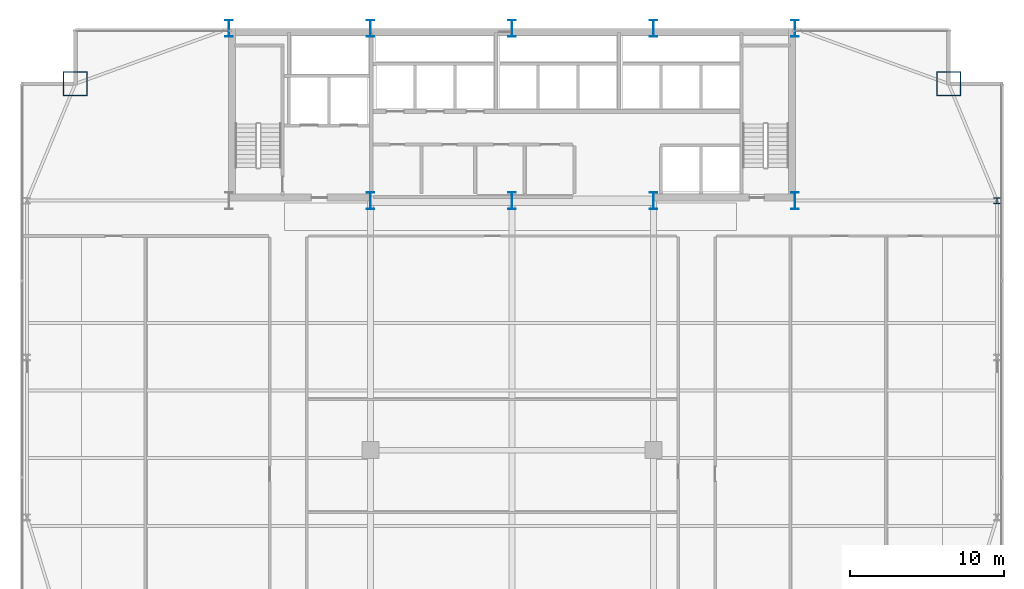
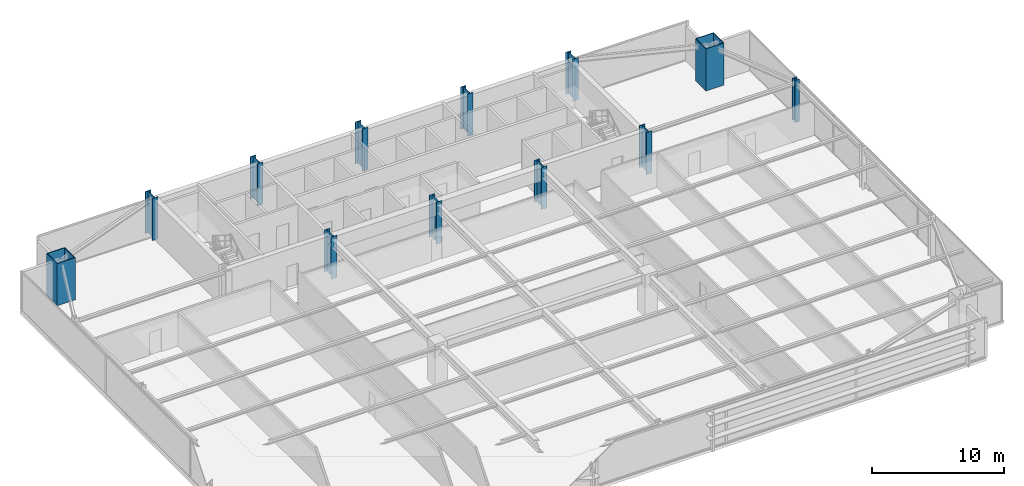
# One storey, part 2 of 32: 12 columns.
"""IFC4 building model written with IfcOpenShell, lengths in metres."""

from ifc_helpers import new_model, si_unit, direction, frame, origin, origin_2d, place, context, subcontext, project, spatial, hollow_rectangle, i_section, extrude, source, transform, mapped, material, material_profile, profile_set, type_object, type_shapes, element, save


model = new_model("IFC4")

# Units and contexts
model_context = context("Model", 3, precision=1e-05, world=origin(), true_north=direction((0.0, 1.0)))
body_context = subcontext(model_context, "Body", "Model", "MODEL_VIEW")
ifc_project = project(units=[si_unit("LENGTHUNIT", "METRE"), si_unit("AREAUNIT", "SQUARE_METRE"), si_unit("VOLUMEUNIT", "CUBIC_METRE"), si_unit("PLANEANGLEUNIT", "RADIAN"), si_unit("MASSUNIT", "GRAM", prefix="KILO")], contexts=[model_context])

# Site, building, storey
site_placement = place(None, origin())
site = spatial("IfcSite", under=ifc_project, at=site_placement, CompositionType="ELEMENT")
building_placement = place(site_placement, origin())
building = spatial("IfcBuilding", under=site, at=building_placement, Name="Varnel Quay Broadcast Tower", CompositionType="ELEMENT")
storey_placement = place(building_placement, frame((0.0, 0.0, 70.5)))
storey = spatial("IfcBuildingStorey", under=building, at=storey_placement, Name="L16", CompositionType="ELEMENT", Elevation=70.5)

# Columns
ifc_material_1 = material(Name="Structural Steel CSA G40.21 350WT", Category="steel")
ifc_material_profile_1 = material_profile(ifc_material_1, i_section(OverallWidth=0.5, OverallDepth=1.10009765625, WebThickness=0.01806640625, FlangeThickness=0.031982421875, FilletRadius=0.01806640625, at=origin_2d()), Name="WWF1100X418")
ifc_profile_set_1 = profile_set([ifc_material_profile_1], Name="Structural Steel CSA G40.21 350WT")
column_type_1 = type_object("IfcColumnType", Name="Col_WWF1100X418", PredefinedType="COLUMN", material=ifc_profile_set_1)
shared_shape_1 = source(origin(), body_context, "Body", "SweptSolid", [
    extrude(i_section(OverallWidth=0.5, OverallDepth=1.10009765625, WebThickness=0.01806640625, FlangeThickness=0.031982421875, FilletRadius=0.01806640625, at=origin_2d()), origin(), (0.0, 0.0, 1.0), 3.89990234375),
])
type_shapes(column_type_1, [shared_shape_1])
for number, where, z_axis, x_axis, name in (
    (1, (15.60009765625, 46.800048828125, 0.0), (0.0, 0.0, 1.0), (1.0, 0.0, 0.0), "L16 Column CC-N1"),
    (2, (24.800048828125, 35.60009765625, 0.0), (0.0, 0.0, 1.0), (1.0, 0.0, 0.0), "L16 Column CC-S2"),
    (3, (24.800048828125, 46.800048828125, 0.0), (0.0, 0.0, 1.0), (1.0, 0.0, 0.0), "L16 Column CC-N2"),
    (4, (34.0, 35.60009765625, 0.0), (0.0, 0.0, 1.0), (1.0, 0.0, 0.0), "L16 Column CC-S3"),
    (5, (34.0, 46.800048828125, 0.0), (0.0, 0.0, 1.0), (1.0, 0.0, 0.0), "L16 Column CC-N3"),
    (6, (43.199951171875, 35.60009765625, 0.0), (0.0, 0.0, 1.0), (1.0, 0.0, 0.0), "L16 Column CC-S4"),
    (7, (43.199951171875, 46.800048828125, 0.0), (0.0, 0.0, 1.0), (1.0, 0.0, 0.0), "L16 Column CC-N4"),
    (8, (52.39990234375, 35.60009765625, 0.0), (0.0, 0.0, 1.0), (1.0, 0.0, 0.0), "L16 Column CC-S5"),
    (9, (52.39990234375, 46.800048828125, 0.0), (0.0, 0.0, 1.0), (1.0, 0.0, 0.0), "L16 Column CC-N5"),
):
    element("IfcColumn", number, at=place(storey_placement, frame(where, z_axis=z_axis, x_axis=x_axis)), inside=storey, type_object=column_type_1, Name=name, PredefinedType="COLUMN", context=body_context, shape_type="MappedRepresentation", body=[
        mapped(shared_shape_1, transform((0.0, 0.0, 0.0), x_axis=(1.0, 0.0, 0.0), y_axis=(0.0, 1.0, 0.0), z_axis=(0.0, 0.0, 1.0), scale=1.0)),
    ])
ifc_material_profile_2 = material_profile(ifc_material_1, hollow_rectangle(XDim=1.60009765625, YDim=1.60009765625, WallThickness=0.06005859375, at=origin_2d()), Name="BOX1600X1600X60")
ifc_profile_set_2 = profile_set([ifc_material_profile_2], Name="Structural Steel CSA G40.21 350WT")
column_type_2 = type_object("IfcColumnType", Name="Col_BOX1600X1600X60", PredefinedType="COLUMN", material=ifc_profile_set_2)
shared_shape_2 = source(origin(), body_context, "Body", "SweptSolid", [
    extrude(hollow_rectangle(XDim=1.60009765625, YDim=1.60009765625, WallThickness=0.06005859375, at=origin_2d()), origin(), (0.0, 0.0, 1.0), 3.89990234375),
])
type_shapes(column_type_2, [shared_shape_2])
for number, where, z_axis, x_axis, name in (
    (10, (62.39990234375, 43.199951171875, 0.0), (0.0, 0.0, 1.0), (1.0, 0.0, 0.0), "L16 Column MC-NE"),
    (11, (5.60009765625, 43.199951171875, 0.0), (0.0, 0.0, 1.0), (1.0, 0.0, 0.0), "L16 Column MC-NW"),
):
    element("IfcColumn", number, at=place(storey_placement, frame(where, z_axis=z_axis, x_axis=x_axis)), inside=storey, type_object=column_type_2, Name=name, PredefinedType="COLUMN", context=body_context, shape_type="MappedRepresentation", body=[
        mapped(shared_shape_2, transform((0.0, 0.0, 0.0), x_axis=(1.0, 0.0, 0.0), y_axis=(0.0, 1.0, 0.0), z_axis=(0.0, 0.0, 1.0), scale=1.0)),
    ])
ifc_material_2 = material(Name="Structural Steel CSA G40.21 350W", Category="steel")
ifc_material_profile_3 = material_profile(ifc_material_2, i_section(OverallWidth=0.404052734375, OverallDepth=0.406982421875, WebThickness=0.027099609375, FlangeThickness=0.043701171875, FilletRadius=0.01806640625, at=origin_2d()), Name="W360X347")
ifc_profile_set_3 = profile_set([ifc_material_profile_3], Name="Structural Steel CSA G40.21 350W")
column_type_3 = type_object("IfcColumnType", Name="Col_W360X347", PredefinedType="COLUMN", material=ifc_profile_set_3)
shared_shape_3 = source(origin(), body_context, "Body", "SweptSolid", [
    extrude(i_section(OverallWidth=0.404052734375, OverallDepth=0.406982421875, WebThickness=0.027099609375, FlangeThickness=0.043701171875, FilletRadius=0.01806640625, at=origin_2d()), origin(), (0.0, 0.0, 1.0), 3.89990234375),
])
type_shapes(column_type_3, [shared_shape_3])
column_placement = place(storey_placement, frame((65.550048828125, 35.60009765625, 0.0), z_axis=(0.0, 0.0, 1.0), x_axis=(1.0, 0.0, 0.0)))
element("IfcColumn", 12, at=column_placement, inside=storey, type_object=column_type_3, Name="L16 Column TC-E3", PredefinedType="COLUMN", context=body_context, shape_type="MappedRepresentation", body=[
    mapped(shared_shape_3, transform((0.0, 0.0, 0.0), x_axis=(1.0, 0.0, 0.0), y_axis=(0.0, 1.0, 0.0), z_axis=(0.0, 0.0, 1.0), scale=1.0)),
])

save(model, "model.ifc")
